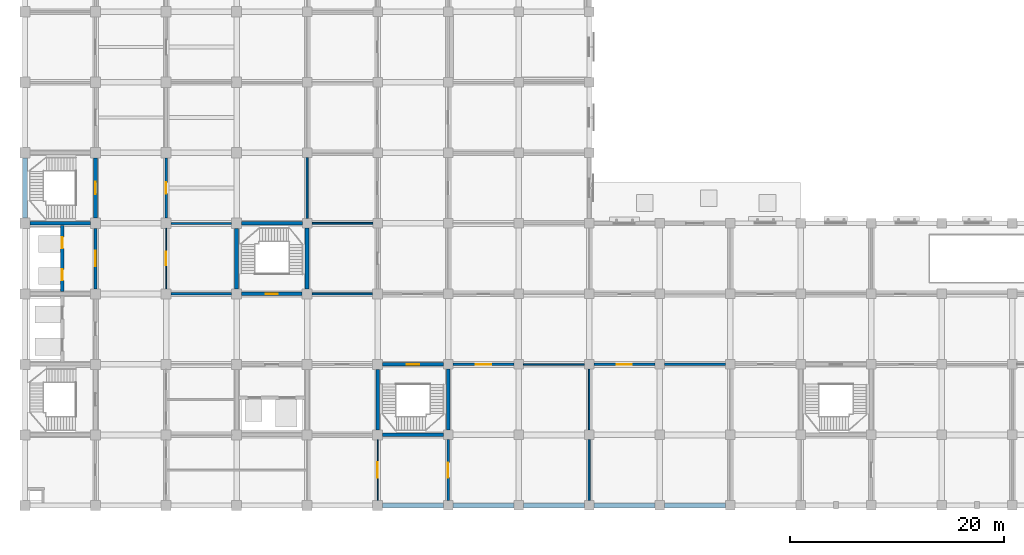
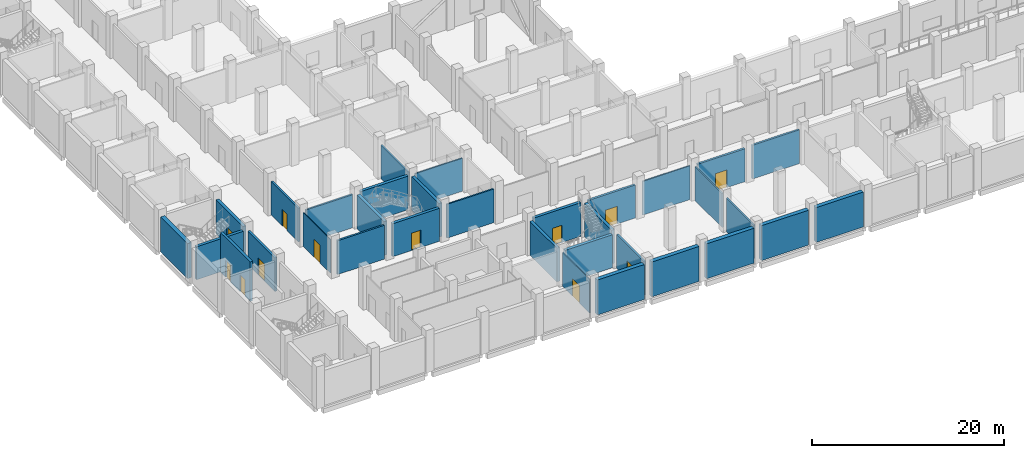
# One storey, part 9 of 28: 33 walls, 12 doors, 12 openings.
"""IFC4 building model written with IfcOpenShell, lengths in metres."""

from ifc_helpers import new_model, si_unit, direction, frame, frame_2d, origin, place, context, subcontext, project, spatial, rectangle, extrude, material, layer, layer_set, type_object, element, fill, save


model = new_model("IFC4")

# Units and contexts
model_context = context("Model", 3, precision=1e-05, world=origin(), true_north=direction((0.0, 1.0)))
body_context = subcontext(model_context, "Body", "Model", "MODEL_VIEW")
ifc_project = project(units=[si_unit("LENGTHUNIT", "METRE"), si_unit("AREAUNIT", "SQUARE_METRE"), si_unit("VOLUMEUNIT", "CUBIC_METRE"), si_unit("PLANEANGLEUNIT", "RADIAN"), si_unit("MASSUNIT", "GRAM", prefix="KILO")], contexts=[model_context])

# Site, building, storey
site_placement = place(None, origin())
site = spatial("IfcSite", under=ifc_project, at=site_placement, CompositionType="ELEMENT")
building_placement = place(site_placement, origin())
building = spatial("IfcBuilding", under=site, at=building_placement, Name="Rusizi Kubbe Research Institute", CompositionType="ELEMENT")
storey_placement = place(building_placement, origin())
storey = spatial("IfcBuildingStorey", under=building, at=storey_placement, Name="L00", CompositionType="ELEMENT", Elevation=0.0)

# Wall
ifc_material_1 = material(Name="Concrete C45/55", Category="concrete")
ifc_layer_1 = layer(ifc_material_1, 0.35009765625)
ifc_layer_set_1 = layer_set([ifc_layer_1], Name="Concrete C45/55")
wall_type_1 = type_object("IfcWallType", Name="CRW-01", PredefinedType="SHEAR", material=ifc_layer_set_1)
wall_1_placement = place(storey_placement, frame((0.47509765625, 26.39990234375, 0.0), z_axis=(0.0, 0.0, 1.0), x_axis=(1.0, 0.0, 0.0)))
element("IfcWall", 1, at=wall_1_placement, inside=storey, type_object=wall_type_1, Name="Stair Core Shear Wall ST2 L00 S", PredefinedType="SHEAR", context=body_context, shape_type="SweptSolid", body=[
    extrude(rectangle(XDim=5.64990234375, YDim=0.35009765625, at=frame_2d((2.824951171875, 0.0))), origin(), (0.0, 0.0, 1.0), 4.199951171875),
])

# Wall, opening, door
wall_2_placement = place(storey_placement, frame((6.60009765625, 26.875, 0.0), z_axis=(0.0, 0.0, 1.0), x_axis=(0.0, 1.0, 0.0)))
wall_2 = element("IfcWall", 2, at=wall_2_placement, inside=storey, type_object=wall_type_1, Name="Stair Core Shear Wall ST2 L00 E", PredefinedType="SHEAR", context=body_context, shape_type="SweptSolid", body=[
    extrude(rectangle(XDim=5.64990234375, YDim=0.35009765625, at=frame_2d((2.824951171875, 0.0))), origin(), (0.0, 0.0, 1.0), 4.300048828125),
])
opening_1_placement = place(wall_2_placement, frame((2.25, 0.0, 0.0)))
opening_1 = element("IfcOpeningElement", 3, at=opening_1_placement, cuts=wall_2, Name="Opening D-02", PredefinedType="OPENING", context=body_context, shape_type="SweptSolid", body=[
    extrude(rectangle(XDim=1.14990234375, YDim=2.199951171875, at=frame_2d((0.574951171875, 1.10009765625))), frame((0.0, 0.18505859375, 0.0), z_axis=(0.0, -1.0, 0.0), x_axis=(1.0, 0.0, 0.0)), (0.0, 0.0, 1.0), 0.3701171875),
])
ifc_material_2 = material(Name="Fire-Rated Steel Frame and Acoustic Timber Leaf", Category="wood")
door_type_1 = type_object("IfcDoorType", Name="ID-STAIR-115", OperationType="NOTDEFINED", PredefinedType="DOOR", material=ifc_material_2)
door_1_placement = place(opening_1_placement, origin())
door_1 = element("IfcDoor", 4, at=door_1_placement, inside=storey, type_object=door_type_1, Name="Exit Stair Door ST2 L00", OperationType="SINGLE_SWING_RIGHT", OverallHeight=2.199951171875, OverallWidth=1.14990234375, PredefinedType="DOOR", context=body_context, shape_type="SweptSolid", body=[
    extrude(rectangle(XDim=1.14990234375, YDim=2.199951171875, at=frame_2d((0.574951171875, 1.10009765625))), frame((0.0, 0.02490234375, 0.0), z_axis=(0.0, -1.0, 0.0), x_axis=(1.0, 0.0, 0.0)), (0.0, 0.0, 1.0), 0.050048828125),
])
fill(opening_1, door_1)

wall_3_placement = place(storey_placement, frame((20.27490234375, 19.800048828125, 0.0), z_axis=(0.0, 0.0, 1.0), x_axis=(1.0, 0.0, 0.0)))
wall_3 = element("IfcWall", 5, at=wall_3_placement, inside=storey, type_object=wall_type_1, Name="Stair Core Shear Wall ST3 L00 S", PredefinedType="SHEAR", context=body_context, shape_type="SweptSolid", body=[
    extrude(rectangle(XDim=5.650146484375, YDim=0.35009765625, at=frame_2d((2.8251953125, 0.0))), origin(), (0.0, 0.0, 1.0), 4.199951171875),
])
opening_2_placement = place(wall_3_placement, frame((2.25, 0.0, 0.0)))
opening_2 = element("IfcOpeningElement", 6, at=opening_2_placement, cuts=wall_3, Name="Opening D-02", PredefinedType="OPENING", context=body_context, shape_type="SweptSolid", body=[
    extrude(rectangle(XDim=1.14990234375, YDim=2.199951171875, at=frame_2d((0.574951171875, 1.10009765625))), frame((0.0, 0.18505859375, 0.0), z_axis=(0.0, -1.0, 0.0), x_axis=(1.0, 0.0, 0.0)), (0.0, 0.0, 1.0), 0.3701171875),
])
door_2_placement = place(opening_2_placement, origin())
door_2 = element("IfcDoor", 7, at=door_2_placement, inside=storey, type_object=door_type_1, Name="Exit Stair Door ST3 L00", OperationType="SINGLE_SWING_RIGHT", OverallHeight=2.199951171875, OverallWidth=1.14990234375, PredefinedType="DOOR", context=body_context, shape_type="SweptSolid", body=[
    extrude(rectangle(XDim=1.14990234375, YDim=2.199951171875, at=frame_2d((0.574951171875, 1.10009765625))), frame((0.0, 0.02490234375, 0.0), z_axis=(0.0, -1.0, 0.0), x_axis=(1.0, 0.0, 0.0)), (0.0, 0.0, 1.0), 0.050048828125),
])
fill(opening_2, door_2)

# Walls
wall_4_placement = place(storey_placement, frame((20.27490234375, 26.39990234375, 0.0), z_axis=(0.0, 0.0, 1.0), x_axis=(1.0, 0.0, 0.0)))
element("IfcWall", 8, at=wall_4_placement, inside=storey, type_object=wall_type_1, Name="Stair Core Shear Wall ST3 L00 N", PredefinedType="SHEAR", context=body_context, shape_type="SweptSolid", body=[
    extrude(rectangle(XDim=5.675048828125, YDim=0.35009765625, at=frame_2d((2.83740234375, 0.0))), origin(), (0.0, 0.0, 1.0), 4.300048828125),
])
wall_5_placement = place(storey_placement, frame((19.800048828125, 20.27490234375, 0.0), z_axis=(0.0, 0.0, 1.0), x_axis=(0.0, 1.0, 0.0)))
element("IfcWall", 9, at=wall_5_placement, inside=storey, type_object=wall_type_1, Name="Stair Core Shear Wall ST3 L00 W", PredefinedType="SHEAR", context=body_context, shape_type="SweptSolid", body=[
    extrude(rectangle(XDim=5.650146484375, YDim=0.35009765625, at=frame_2d((2.8251953125, 0.0))), origin(), (0.0, 0.0, 1.0), 4.300048828125),
])
wall_6_placement = place(storey_placement, frame((26.39990234375, 20.27490234375, 0.0), z_axis=(0.0, 0.0, 1.0), x_axis=(0.0, 1.0, 0.0)))
element("IfcWall", 10, at=wall_6_placement, inside=storey, type_object=wall_type_1, Name="Stair Core Shear Wall ST3 L00 E", PredefinedType="SHEAR", context=body_context, shape_type="SweptSolid", body=[
    extrude(rectangle(XDim=5.675048828125, YDim=0.35009765625, at=frame_2d((2.83740234375, 0.0))), origin(), (0.0, 0.0, 1.0), 4.300048828125),
])
wall_7_placement = place(storey_placement, frame((33.47509765625, 6.60009765625, 0.0), z_axis=(0.0, 0.0, 1.0), x_axis=(1.0, 0.0, 0.0)))
element("IfcWall", 11, at=wall_7_placement, inside=storey, type_object=wall_type_1, Name="Stair Core Shear Wall ST4 L00 S", PredefinedType="SHEAR", context=body_context, shape_type="SweptSolid", body=[
    extrude(rectangle(XDim=5.6748046875, YDim=0.35009765625, at=frame_2d((2.83740234375, 0.0))), origin(), (0.0, 0.0, 1.0), 4.199951171875),
])

# Wall, opening, door
wall_8_placement = place(storey_placement, frame((33.47509765625, 13.199951171875, 0.0), z_axis=(0.0, 0.0, 1.0), x_axis=(1.0, 0.0, 0.0)))
wall_8 = element("IfcWall", 12, at=wall_8_placement, inside=storey, type_object=wall_type_1, Name="Stair Core Shear Wall ST4 L00 N", PredefinedType="SHEAR", context=body_context, shape_type="SweptSolid", body=[
    extrude(rectangle(XDim=5.6748046875, YDim=0.35009765625, at=frame_2d((2.83740234375, 0.0))), origin(), (0.0, 0.0, 1.0), 4.300048828125),
])
opening_3_placement = place(wall_8_placement, frame((2.262451171875, 0.0, 0.0)))
opening_3 = element("IfcOpeningElement", 13, at=opening_3_placement, cuts=wall_8, Name="Opening D-02", PredefinedType="OPENING", context=body_context, shape_type="SweptSolid", body=[
    extrude(rectangle(XDim=1.14990234375, YDim=2.199951171875, at=frame_2d((0.574951171875, 1.10009765625))), frame((0.0, 0.18505859375, 0.0), z_axis=(0.0, -1.0, 0.0), x_axis=(1.0, 0.0, 0.0)), (0.0, 0.0, 1.0), 0.3701171875),
])
door_3_placement = place(opening_3_placement, origin())
door_3 = element("IfcDoor", 14, at=door_3_placement, inside=storey, type_object=door_type_1, Name="Exit Stair Door ST4 L00", OperationType="SINGLE_SWING_RIGHT", OverallHeight=2.199951171875, OverallWidth=1.14990234375, PredefinedType="DOOR", context=body_context, shape_type="SweptSolid", body=[
    extrude(rectangle(XDim=1.14990234375, YDim=2.199951171875, at=frame_2d((0.574951171875, 1.10009765625))), frame((0.0, 0.02490234375, 0.0), z_axis=(0.0, -1.0, 0.0), x_axis=(1.0, 0.0, 0.0)), (0.0, 0.0, 1.0), 0.050048828125),
])
fill(opening_3, door_3)

# Walls
wall_9_placement = place(storey_placement, frame((33.0, 7.074951171875, 0.0), z_axis=(0.0, 0.0, 1.0), x_axis=(0.0, 1.0, 0.0)))
element("IfcWall", 15, at=wall_9_placement, inside=storey, type_object=wall_type_1, Name="Stair Core Shear Wall ST4 L00 W", PredefinedType="SHEAR", context=body_context, shape_type="SweptSolid", body=[
    extrude(rectangle(XDim=5.650146484375, YDim=0.35009765625, at=frame_2d((2.8251953125, 0.0))), origin(), (0.0, 0.0, 1.0), 4.300048828125),
])
wall_10_placement = place(storey_placement, frame((39.60009765625, 7.050048828125, 0.0), z_axis=(0.0, 0.0, 1.0), x_axis=(0.0, 1.0, 0.0)))
element("IfcWall", 16, at=wall_10_placement, inside=storey, type_object=wall_type_1, Name="Stair Core Shear Wall ST4 L00 E", PredefinedType="SHEAR", context=body_context, shape_type="SweptSolid", body=[
    extrude(rectangle(XDim=5.699951171875, YDim=0.35009765625, at=frame_2d((2.85009765625, 0.0))), origin(), (0.0, 0.0, 1.0), 4.300048828125),
])

# Wall, openings, doors
ifc_material_3 = material(Name="Concrete C45/55", Category="concrete")
ifc_layer_2 = layer(ifc_material_3, 0.31494140625)
ifc_layer_set_2 = layer_set([ifc_layer_2], Name="Concrete C45/55")
wall_type_2 = type_object("IfcWallType", Name="CRW-02", PredefinedType="SHEAR", material=ifc_layer_set_2)
wall_11_placement = place(storey_placement, frame((3.47998046875, 20.0, 0.0), z_axis=(0.0, 0.0, 1.0), x_axis=(0.0, 1.0, 0.0)))
wall_11 = element("IfcWall", 17, at=wall_11_placement, inside=storey, type_object=wall_type_2, Name="Passenger Lift Shaft Front Wall L00", PredefinedType="SHEAR", context=body_context, shape_type="SweptSolid", body=[
    extrude(rectangle(XDim=6.199951171875, YDim=0.31494140625, at=frame_2d((3.10009765625, 0.0))), origin(), (0.0, 0.0, 1.0), 5.050048828125),
])
opening_4_placement = place(wall_11_placement, frame((1.050048828125, 0.0, 0.0)))
opening_4 = element("IfcOpeningElement", 18, at=opening_4_placement, cuts=wall_11, Name="Opening LD-03", PredefinedType="OPENING", context=body_context, shape_type="SweptSolid", body=[
    extrude(rectangle(XDim=1.050048828125, YDim=2.14990234375, at=frame_2d((0.52490234375, 1.074951171875))), frame((0.0, 0.16748046875, 0.0), z_axis=(0.0, -1.0, 0.0), x_axis=(1.0, 0.0, 0.0)), (0.0, 0.0, 1.0), 0.3349609375),
])
opening_5_placement = place(wall_11_placement, frame((4.050048828125, 0.0, 0.0)))
opening_5 = element("IfcOpeningElement", 19, at=opening_5_placement, cuts=wall_11, Name="Opening LD-04", PredefinedType="OPENING", context=body_context, shape_type="SweptSolid", body=[
    extrude(rectangle(XDim=1.06005859375, YDim=2.14990234375, at=frame_2d((0.530029296875, 1.074951171875))), frame((0.0, 0.16748046875, 0.0), z_axis=(0.0, -1.0, 0.0), x_axis=(1.0, 0.0, 0.0)), (0.0, 0.0, 1.0), 0.3349609375),
])
ifc_material_4 = material(Name="Brushed Stainless Steel Sliding Door", Category="steel")
door_type_2 = type_object("IfcDoorType", Name="LD-03", OperationType="DOUBLE_DOOR_SLIDING", PredefinedType="USERDEFINED", material=ifc_material_4)
door_4_placement = place(opening_4_placement, origin())
door_4 = element("IfcDoor", 20, at=door_4_placement, inside=storey, type_object=door_type_2, Name="Lift Landing Sliding Door LP1 L00", ObjectType="SLIDING DOOR", OperationType="DOUBLE_DOOR_SLIDING", OverallHeight=2.14990234375, OverallWidth=1.050048828125, PredefinedType="USERDEFINED", context=body_context, shape_type="SweptSolid", body=[
    extrude(rectangle(XDim=1.050048828125, YDim=2.14990234375, at=frame_2d((0.52490234375, 1.074951171875))), frame((0.0, 0.02490234375, 0.0), z_axis=(0.0, -1.0, 0.0), x_axis=(1.0, 0.0, 0.0)), (0.0, 0.0, 1.0), 0.050048828125),
])
fill(opening_4, door_4)
ifc_material_5 = material(Name="Brushed Stainless Steel Sliding Door", Category="steel")
door_type_3 = type_object("IfcDoorType", Name="LD-04", OperationType="DOUBLE_DOOR_SLIDING", PredefinedType="USERDEFINED", material=ifc_material_5)
door_5_placement = place(opening_5_placement, origin())
door_5 = element("IfcDoor", 21, at=door_5_placement, inside=storey, type_object=door_type_3, Name="Lift Landing Sliding Door LP2 L00", ObjectType="SLIDING DOOR", OperationType="DOUBLE_DOOR_SLIDING", OverallHeight=2.14990234375, OverallWidth=1.06005859375, PredefinedType="USERDEFINED", context=body_context, shape_type="SweptSolid", body=[
    extrude(rectangle(XDim=1.06005859375, YDim=2.14990234375, at=frame_2d((0.530029296875, 1.074951171875))), frame((0.0, 0.02490234375, 0.0), z_axis=(0.0, -1.0, 0.0), x_axis=(1.0, 0.0, 0.0)), (0.0, 0.0, 1.0), 0.050048828125),
])
fill(opening_5, door_5)

# Wall, opening, door
ifc_material_6 = material(Name="Concrete Blockwork Fire Partition", Category="masonry")
ifc_layer_3 = layer(ifc_material_6, 0.22509765625)
ifc_layer_set_3 = layer_set([ifc_layer_3], Name="Concrete Blockwork Fire Partition")
wall_type_3 = type_object("IfcWallType", Name="IW-01", PredefinedType="PARTITIONING", material=ifc_layer_set_3)
wall_12_placement = place(storey_placement, frame((13.199951171875, 26.875, 0.0), z_axis=(0.0, 0.0, 1.0), x_axis=(0.0, 1.0, 0.0)))
wall_12 = element("IfcWall", 22, at=wall_12_placement, inside=storey, type_object=wall_type_3, Name="Interior Partition Wall L00 V2-4", PredefinedType="PARTITIONING", context=body_context, shape_type="SweptSolid", body=[
    extrude(rectangle(XDim=5.64990234375, YDim=0.22509765625, at=frame_2d((2.824951171875, 0.0))), origin(), (0.0, 0.0, 1.0), 4.300048828125),
])
opening_6_placement = place(wall_12_placement, frame((2.300048828125, 0.0, 0.0)))
opening_6 = element("IfcOpeningElement", 23, at=opening_6_placement, cuts=wall_12, Name="Opening D-16", PredefinedType="OPENING", context=body_context, shape_type="SweptSolid", body=[
    extrude(rectangle(XDim=1.050048828125, YDim=2.14990234375, at=frame_2d((0.52490234375, 1.074951171875))), frame((0.0, 0.12255859375, 0.0), z_axis=(0.0, -1.0, 0.0), x_axis=(1.0, 0.0, 0.0)), (0.0, 0.0, 1.0), 0.2451171875),
])
ifc_material_7 = material(Name="Fire-Rated Steel Frame and Acoustic Timber Leaf", Category="wood")
door_type_4 = type_object("IfcDoorType", Name="ID-OFF-105", OperationType="NOTDEFINED", PredefinedType="DOOR", material=ifc_material_7)
door_6_placement = place(opening_6_placement, origin())
door_6 = element("IfcDoor", 24, at=door_6_placement, inside=storey, type_object=door_type_4, Name="Door to Write-up Office (L00-NW-02)", OperationType="SINGLE_SWING_LEFT", OverallHeight=2.14990234375, OverallWidth=1.050048828125, PredefinedType="DOOR", context=body_context, shape_type="SweptSolid", body=[
    extrude(rectangle(XDim=1.050048828125, YDim=2.14990234375, at=frame_2d((0.52490234375, 1.074951171875))), frame((0.0, 0.02490234375, 0.0), z_axis=(0.0, -1.0, 0.0), x_axis=(1.0, 0.0, 0.0)), (0.0, 0.0, 1.0), 0.050048828125),
])
fill(opening_6, door_6)

# Wall
wall_13_placement = place(storey_placement, frame((13.675048828125, 19.800048828125, 0.0), z_axis=(0.0, 0.0, 1.0), x_axis=(1.0, 0.0, 0.0)))
element("IfcWall", 25, at=wall_13_placement, inside=storey, type_object=wall_type_3, Name="Interior Partition Wall L00 H2-3", PredefinedType="PARTITIONING", context=body_context, shape_type="SweptSolid", body=[
    extrude(rectangle(XDim=5.64990234375, YDim=0.22509765625, at=frame_2d((2.824951171875, 0.0))), origin(), (0.0, 0.0, 1.0), 4.300048828125),
])

# Wall, opening, door
wall_14_placement = place(storey_placement, frame((39.60009765625, 0.449951171875, 0.0), z_axis=(0.0, 0.0, 1.0), x_axis=(0.0, 1.0, 0.0)))
wall_14 = element("IfcWall", 26, at=wall_14_placement, inside=storey, type_object=wall_type_3, Name="Interior Partition Wall L00 V6-0", PredefinedType="PARTITIONING", context=body_context, shape_type="SweptSolid", body=[
    extrude(rectangle(XDim=5.699951171875, YDim=0.22509765625, at=frame_2d((2.85009765625, 0.0))), origin(), (0.0, 0.0, 1.0), 4.300048828125),
])
opening_7_placement = place(wall_14_placement, frame((2.14990234375, 0.0, 0.0)))
opening_7 = element("IfcOpeningElement", 27, at=opening_7_placement, cuts=wall_14, Name="Opening D-12", PredefinedType="OPENING", context=body_context, shape_type="SweptSolid", body=[
    extrude(rectangle(XDim=1.39990234375, YDim=2.25, at=frame_2d((0.699951171875, 1.125))), frame((0.0, 0.12255859375, 0.0), z_axis=(0.0, -1.0, 0.0), x_axis=(1.0, 0.0, 0.0)), (0.0, 0.0, 1.0), 0.2451171875),
])
ifc_material_8 = material(Name="Fire-Rated Steel Frame and Acoustic Timber Leaf", Category="wood")
door_type_5 = type_object("IfcDoorType", Name="ID-LAB-140", OperationType="NOTDEFINED", PredefinedType="DOOR", material=ifc_material_8)
door_7_placement = place(opening_7_placement, origin())
door_7 = element("IfcDoor", 28, at=door_7_placement, inside=storey, type_object=door_type_5, Name="Door to Laboratory Instrument Support Room (L00-EWU-05)", OperationType="SINGLE_SWING_RIGHT", OverallHeight=2.25, OverallWidth=1.39990234375, PredefinedType="DOOR", context=body_context, shape_type="SweptSolid", body=[
    extrude(rectangle(XDim=1.39990234375, YDim=2.25, at=frame_2d((0.699951171875, 1.125))), frame((0.0, 0.02490234375, 0.0), z_axis=(0.0, -1.0, 0.0), x_axis=(1.0, 0.0, 0.0)), (0.0, 0.0, 1.0), 0.050048828125),
])
fill(opening_7, door_7)

# Walls
wall_15_placement = place(storey_placement, frame((59.85009765625, 13.199951171875, 0.0), z_axis=(0.0, 0.0, 1.0), x_axis=(1.0, 0.0, 0.0)))
element("IfcWall", 29, at=wall_15_placement, inside=storey, type_object=wall_type_3, Name="Interior Partition Wall L00 H9-2", PredefinedType="PARTITIONING", context=body_context, shape_type="SweptSolid", body=[
    extrude(rectangle(XDim=5.699951171875, YDim=0.22509765625, at=frame_2d((2.85009765625, 0.0))), origin(), (0.0, 0.0, 1.0), 4.300048828125),
])
ifc_material_9 = material(Name="Insulated Cleanroom Partition", Category="masonry")
ifc_layer_4 = layer(ifc_material_9, 0.195068359375)
ifc_layer_set_4 = layer_set([ifc_layer_4], Name="Insulated Cleanroom Partition")
wall_type_4 = type_object("IfcWallType", Name="IW-02", PredefinedType="PARTITIONING", material=ifc_layer_set_4)
wall_16_placement = place(storey_placement, frame((13.675048828125, 26.39990234375, 0.0), z_axis=(0.0, 0.0, 1.0), x_axis=(1.0, 0.0, 0.0)))
element("IfcWall", 30, at=wall_16_placement, inside=storey, type_object=wall_type_4, Name="Interior Partition Wall L00 H2-4", PredefinedType="PARTITIONING", context=body_context, shape_type="SweptSolid", body=[
    extrude(rectangle(XDim=5.64990234375, YDim=0.195068359375, at=frame_2d((2.824951171875, 0.0))), origin(), (0.0, 0.0, 1.0), 4.199951171875),
])
ifc_material_10 = material(Name="Acoustic Laboratory Partition", Category="masonry")
ifc_layer_5 = layer(ifc_material_10, 0.175048828125)
ifc_layer_set_5 = layer_set([ifc_layer_5], Name="Acoustic Laboratory Partition")
wall_type_5 = type_object("IfcWallType", Name="IW-03", PredefinedType="PARTITIONING", material=ifc_layer_set_5)
wall_17_placement = place(storey_placement, frame((26.39990234375, 26.85009765625, 0.0), z_axis=(0.0, 0.0, 1.0), x_axis=(0.0, 1.0, 0.0)))
element("IfcWall", 31, at=wall_17_placement, inside=storey, type_object=wall_type_5, Name="Interior Partition Wall L00 V4-4", PredefinedType="PARTITIONING", context=body_context, shape_type="SweptSolid", body=[
    extrude(rectangle(XDim=5.699951171875, YDim=0.175048828125, at=frame_2d((2.85009765625, 0.0))), origin(), (0.0, 0.0, 1.0), 4.300048828125),
])
wall_18_placement = place(storey_placement, frame((26.875, 19.800048828125, 0.0), z_axis=(0.0, 0.0, 1.0), x_axis=(1.0, 0.0, 0.0)))
element("IfcWall", 32, at=wall_18_placement, inside=storey, type_object=wall_type_5, Name="Interior Partition Wall L00 H4-3", PredefinedType="PARTITIONING", context=body_context, shape_type="SweptSolid", body=[
    extrude(rectangle(XDim=5.64990234375, YDim=0.175048828125, at=frame_2d((2.824951171875, 0.0))), origin(), (0.0, 0.0, 1.0), 4.300048828125),
])
wall_19_placement = place(storey_placement, frame((52.800048828125, 0.449951171875, 0.0), z_axis=(0.0, 0.0, 1.0), x_axis=(0.0, 1.0, 0.0)))
element("IfcWall", 33, at=wall_19_placement, inside=storey, type_object=wall_type_5, Name="Interior Partition Wall L00 V8-0", PredefinedType="PARTITIONING", context=body_context, shape_type="SweptSolid", body=[
    extrude(rectangle(XDim=5.699951171875, YDim=0.175048828125, at=frame_2d((2.85009765625, 0.0))), origin(), (0.0, 0.0, 1.0), 4.300048828125),
])
ifc_material_11 = material(Name="Fire-Rated Corridor Partition", Category="masonry")
ifc_layer_6 = layer(ifc_material_11, 0.155029296875)
ifc_layer_set_6 = layer_set([ifc_layer_6], Name="Fire-Rated Corridor Partition")
wall_type_6 = type_object("IfcWallType", Name="IW-04", PredefinedType="PARTITIONING", material=ifc_layer_set_6)
wall_20_placement = place(storey_placement, frame((26.85009765625, 26.39990234375, 0.0), z_axis=(0.0, 0.0, 1.0), x_axis=(1.0, 0.0, 0.0)))
element("IfcWall", 34, at=wall_20_placement, inside=storey, type_object=wall_type_6, Name="Interior Partition Wall L00 H4-4", PredefinedType="PARTITIONING", context=body_context, shape_type="SweptSolid", body=[
    extrude(rectangle(XDim=5.699951171875, YDim=0.155029296875, at=frame_2d((2.85009765625, 0.0))), origin(), (0.0, 0.0, 1.0), 4.199951171875),
])
wall_21_placement = place(storey_placement, frame((52.800048828125, 7.050048828125, 0.0), z_axis=(0.0, 0.0, 1.0), x_axis=(0.0, 1.0, 0.0)))
element("IfcWall", 35, at=wall_21_placement, inside=storey, type_object=wall_type_6, Name="Interior Partition Wall L00 V8-1", PredefinedType="PARTITIONING", context=body_context, shape_type="SweptSolid", body=[
    extrude(rectangle(XDim=5.699951171875, YDim=0.155029296875, at=frame_2d((2.85009765625, 0.0))), origin(), (0.0, 0.0, 1.0), 4.300048828125),
])
ifc_material_12 = material(Name="Write-up Glazed Acoustic Partition", Category="masonry")
ifc_layer_7 = layer(ifc_material_12, 0.139892578125)
ifc_layer_set_7 = layer_set([ifc_layer_7], Name="Write-up Glazed Acoustic Partition")
wall_type_7 = type_object("IfcWallType", Name="IW-05", PredefinedType="PARTITIONING", material=ifc_layer_set_7)
wall_22_placement = place(storey_placement, frame((46.64990234375, 13.199951171875, 0.0), z_axis=(0.0, 0.0, 1.0), x_axis=(1.0, 0.0, 0.0)))
element("IfcWall", 36, at=wall_22_placement, inside=storey, type_object=wall_type_7, Name="Interior Partition Wall L00 H7-2", PredefinedType="PARTITIONING", context=body_context, shape_type="SweptSolid", body=[
    extrude(rectangle(XDim=5.7001953125, YDim=0.139892578125, at=frame_2d((2.85009765625, 0.0))), origin(), (0.0, 0.0, 1.0), 4.300048828125),
])

# Wall, opening, door
ifc_material_13 = material(Name="Sub-Suite Fire Partition", Category="masonry")
ifc_layer_8 = layer(ifc_material_13, 0.110107421875)
ifc_layer_set_8 = layer_set([ifc_layer_8], Name="Sub-Suite Fire Partition")
wall_type_8 = type_object("IfcWallType", Name="IW-07", PredefinedType="PARTITIONING", material=ifc_layer_set_8)
wall_23_placement = place(storey_placement, frame((13.199951171875, 20.27490234375, 0.0), z_axis=(0.0, 0.0, 1.0), x_axis=(0.0, 1.0, 0.0)))
wall_23 = element("IfcWall", 37, at=wall_23_placement, inside=storey, type_object=wall_type_8, Name="Interior Partition Wall L00 V2-3", PredefinedType="PARTITIONING", context=body_context, shape_type="SweptSolid", body=[
    extrude(rectangle(XDim=5.650146484375, YDim=0.110107421875, at=frame_2d((2.8251953125, 0.0))), origin(), (0.0, 0.0, 1.0), 4.300048828125),
])
opening_8_placement = place(wall_23_placement, frame((2.199951171875, 0.0, 0.0)))
opening_8 = element("IfcOpeningElement", 38, at=opening_8_placement, cuts=wall_23, Name="Opening D-15", PredefinedType="OPENING", context=body_context, shape_type="SweptSolid", body=[
    extrude(rectangle(XDim=1.25, YDim=2.25, at=frame_2d((0.625, 1.125))), frame((0.0, 0.06494140625, 0.0), z_axis=(0.0, -1.0, 0.0), x_axis=(1.0, 0.0, 0.0)), (0.0, 0.0, 1.0), 0.130126953125),
])
ifc_material_14 = material(Name="Fire-Rated Steel Frame and Acoustic Timber Leaf", Category="wood")
door_type_6 = type_object("IfcDoorType", Name="ID-LAB-125", OperationType="NOTDEFINED", PredefinedType="DOOR", material=ifc_material_14)
door_8_placement = place(opening_8_placement, origin())
door_8 = element("IfcDoor", 39, at=door_8_placement, inside=storey, type_object=door_type_6, Name="Door to Computational Dry Laboratory (L00-NW-01)", OperationType="SINGLE_SWING_LEFT", OverallHeight=2.25, OverallWidth=1.25, PredefinedType="DOOR", context=body_context, shape_type="SweptSolid", body=[
    extrude(rectangle(XDim=1.25, YDim=2.25, at=frame_2d((0.625, 1.125))), frame((0.0, 0.02490234375, 0.0), z_axis=(0.0, -1.0, 0.0), x_axis=(1.0, 0.0, 0.0)), (0.0, 0.0, 1.0), 0.050048828125),
])
fill(opening_8, door_8)

wall_24_placement = place(storey_placement, frame((33.0, 0.47509765625, 0.0), z_axis=(0.0, 0.0, 1.0), x_axis=(0.0, 1.0, 0.0)))
wall_24 = element("IfcWall", 40, at=wall_24_placement, inside=storey, type_object=wall_type_8, Name="Interior Partition Wall L00 V5-0", PredefinedType="PARTITIONING", context=body_context, shape_type="SweptSolid", body=[
    extrude(rectangle(XDim=5.64990234375, YDim=0.110107421875, at=frame_2d((2.824951171875, 0.0))), origin(), (0.0, 0.0, 1.0), 4.300048828125),
])
opening_9_placement = place(wall_24_placement, frame((2.10009765625, 0.0, 0.0)))
opening_9 = element("IfcOpeningElement", 41, at=opening_9_placement, cuts=wall_24, Name="Opening D-11", PredefinedType="OPENING", context=body_context, shape_type="SweptSolid", body=[
    extrude(rectangle(XDim=1.449951171875, YDim=2.25, at=frame_2d((0.72509765625, 1.125))), frame((0.0, 0.06494140625, 0.0), z_axis=(0.0, -1.0, 0.0), x_axis=(1.0, 0.0, 0.0)), (0.0, 0.0, 1.0), 0.130126953125),
])
ifc_material_15 = material(Name="Fire-Rated Steel Frame and Acoustic Timber Leaf", Category="wood")
door_type_7 = type_object("IfcDoorType", Name="ID-LAB-145", OperationType="NOTDEFINED", PredefinedType="DOOR", material=ifc_material_15)
door_9_placement = place(opening_9_placement, origin())
door_9 = element("IfcDoor", 42, at=door_9_placement, inside=storey, type_object=door_type_7, Name="Door to Laboratory Instrument Support Room (L00-EWU-04)", OperationType="SINGLE_SWING_LEFT", OverallHeight=2.25, OverallWidth=1.449951171875, PredefinedType="DOOR", context=body_context, shape_type="SweptSolid", body=[
    extrude(rectangle(XDim=1.449951171875, YDim=2.25, at=frame_2d((0.72509765625, 1.125))), frame((0.0, 0.02490234375, 0.0), z_axis=(0.0, -1.0, 0.0), x_axis=(1.0, 0.0, 0.0)), (0.0, 0.0, 1.0), 0.050048828125),
])
fill(opening_9, door_9)

# Walls
ifc_material_16 = material(Name="Concrete C40/50", Category="concrete")
ifc_layer_9 = layer(ifc_material_16, 0.47998046875)
ifc_layer_set_9 = layer_set([ifc_layer_9], Name="Concrete C40/50")
wall_type_9 = type_object("IfcWallType", Name="PW-01", PredefinedType="SOLIDWALL", material=ifc_layer_set_9)
wall_25_placement = place(storey_placement, frame((0.0, 26.875, 0.0), z_axis=(0.0, 0.0, 1.0), x_axis=(0.0, 1.0, 0.0)))
element("IfcWall", 43, at=wall_25_placement, inside=storey, type_object=wall_type_9, Name="Blind Party Wall L00 V0-4", PredefinedType="SOLIDWALL", context=body_context, shape_type="SweptSolid", body=[
    extrude(rectangle(XDim=5.64990234375, YDim=0.47998046875, at=frame_2d((2.824951171875, 0.0))), origin(), (0.0, 0.0, 1.0), 4.449951171875),
])
wall_26_placement = place(storey_placement, frame((33.47509765625, 0.0, 0.0), z_axis=(0.0, 0.0, 1.0), x_axis=(1.0, 0.0, 0.0)))
element("IfcWall", 44, at=wall_26_placement, inside=storey, type_object=wall_type_9, Name="Blind Party Wall L00 H5-0", PredefinedType="SOLIDWALL", context=body_context, shape_type="SweptSolid", body=[
    extrude(rectangle(XDim=5.6748046875, YDim=0.47998046875, at=frame_2d((2.83740234375, 0.0))), origin(), (0.0, 0.0, 1.0), 4.449951171875),
])
wall_27_placement = place(storey_placement, frame((40.050048828125, 0.0, 0.0), z_axis=(0.0, 0.0, 1.0), x_axis=(1.0, 0.0, 0.0)))
element("IfcWall", 45, at=wall_27_placement, inside=storey, type_object=wall_type_9, Name="Blind Party Wall L00 H6-0", PredefinedType="SOLIDWALL", context=body_context, shape_type="SweptSolid", body=[
    extrude(rectangle(XDim=5.699951171875, YDim=0.47998046875, at=frame_2d((2.85009765625, 0.0))), origin(), (0.0, 0.0, 1.0), 4.449951171875),
])
wall_28_placement = place(storey_placement, frame((46.64990234375, 0.0, 0.0), z_axis=(0.0, 0.0, 1.0), x_axis=(1.0, 0.0, 0.0)))
element("IfcWall", 46, at=wall_28_placement, inside=storey, type_object=wall_type_9, Name="Blind Party Wall L00 H7-0", PredefinedType="SOLIDWALL", context=body_context, shape_type="SweptSolid", body=[
    extrude(rectangle(XDim=5.7001953125, YDim=0.47998046875, at=frame_2d((2.85009765625, 0.0))), origin(), (0.0, 0.0, 1.0), 4.449951171875),
])
for number, where, z_axis, x_axis, name in (
    (47, (53.25, 0.0, 0.0), (0.0, 0.0, 1.0), (1.0, 0.0, 0.0), "Blind Party Wall L00 H8-0"),
    (48, (59.85009765625, 0.0, 0.0), (0.0, 0.0, 1.0), (1.0, 0.0, 0.0), "Blind Party Wall L00 H9-0"),
):
    element("IfcWall", number, at=place(storey_placement, frame(where, z_axis=z_axis, x_axis=x_axis)), inside=storey, type_object=wall_type_9, Name=name, PredefinedType="SOLIDWALL", context=body_context, shape_type="SweptSolid", body=[
        extrude(rectangle(XDim=5.699951171875, YDim=0.47998046875, at=frame_2d((2.85009765625, 0.0))), origin(), (0.0, 0.0, 1.0), 4.449951171875),
    ])

# Wall, opening, door
ifc_material_17 = material(Name="Concrete C40/50", Category="concrete")
ifc_layer_10 = layer(ifc_material_17, 0.27490234375)
ifc_layer_set_10 = layer_set([ifc_layer_10], Name="Concrete C40/50")
wall_type_10 = type_object("IfcWallType", Name="SHW-01", PredefinedType="SHEAR", material=ifc_layer_set_10)
wall_29_placement = place(storey_placement, frame((6.60009765625, 20.27490234375, 0.0), z_axis=(0.0, 0.0, 1.0), x_axis=(0.0, 1.0, 0.0)))
wall_29 = element("IfcWall", 49, at=wall_29_placement, inside=storey, type_object=wall_type_10, Name="Passenger Lift Lobby Wall L00", PredefinedType="SHEAR", context=body_context, shape_type="SweptSolid", body=[
    extrude(rectangle(XDim=5.650146484375, YDim=0.27490234375, at=frame_2d((2.8251953125, 0.0))), origin(), (0.0, 0.0, 1.0), 4.300048828125),
])
opening_10_placement = place(wall_29_placement, frame((2.114990234375, 0.0, 0.0)))
opening_10 = element("IfcOpeningElement", 50, at=opening_10_placement, cuts=wall_29, Name="Opening D-22", PredefinedType="OPENING", context=body_context, shape_type="SweptSolid", body=[
    extrude(rectangle(XDim=1.419921875, YDim=2.199951171875, at=frame_2d((0.7099609375, 1.10009765625))), frame((0.0, 0.1474609375, 0.0), z_axis=(0.0, -1.0, 0.0), x_axis=(1.0, 0.0, 0.0)), (0.0, 0.0, 1.0), 0.294921875),
])
ifc_material_18 = material(Name="Fire-Rated Steel Frame and Acoustic Timber Leaf", Category="wood")
door_type_8 = type_object("IfcDoorType", Name="ID-STR-142", OperationType="DOUBLE_DOOR_SINGLE_SWING", PredefinedType="DOOR", material=ifc_material_18)
door_10_placement = place(opening_10_placement, origin())
door_10 = element("IfcDoor", 51, at=door_10_placement, inside=storey, type_object=door_type_8, Name="Door to Passenger Lift Lobby (L00-LBY-01)", OperationType="DOUBLE_DOOR_SINGLE_SWING", OverallHeight=2.199951171875, OverallWidth=1.419921875, PredefinedType="DOOR", context=body_context, shape_type="SweptSolid", body=[
    extrude(rectangle(XDim=1.419921875, YDim=2.199951171875, at=frame_2d((0.7099609375, 1.10009765625))), frame((0.0, 0.02490234375, 0.0), z_axis=(0.0, -1.0, 0.0), x_axis=(1.0, 0.0, 0.0)), (0.0, 0.0, 1.0), 0.050048828125),
])
fill(opening_10, door_10)

ifc_material_19 = material(Name="Concrete C40/50", Category="concrete")
ifc_layer_11 = layer(ifc_material_19, 0.2548828125)
ifc_layer_set_11 = layer_set([ifc_layer_11], Name="Concrete C40/50")
wall_type_11 = type_object("IfcWallType", Name="SHW-02", PredefinedType="SHEAR", material=ifc_layer_set_11)
wall_30_placement = place(storey_placement, frame((40.050048828125, 13.199951171875, 0.0), z_axis=(0.0, 0.0, 1.0), x_axis=(1.0, 0.0, 0.0)))
wall_30 = element("IfcWall", 52, at=wall_30_placement, inside=storey, type_object=wall_type_11, Name="Interior Partition Wall L00 H6-2", PredefinedType="SHEAR", context=body_context, shape_type="SweptSolid", body=[
    extrude(rectangle(XDim=5.699951171875, YDim=0.2548828125, at=frame_2d((2.85009765625, 0.0))), origin(), (0.0, 0.0, 1.0), 4.199951171875),
])
opening_11_placement = place(wall_30_placement, frame((2.125, 0.0, 0.0)))
opening_11 = element("IfcOpeningElement", 53, at=opening_11_placement, cuts=wall_30, Name="Opening D-11", PredefinedType="OPENING", context=body_context, shape_type="SweptSolid", body=[
    extrude(rectangle(XDim=1.449951171875, YDim=2.25, at=frame_2d((0.72509765625, 1.125))), frame((0.0, 0.137451171875, 0.0), z_axis=(0.0, -1.0, 0.0), x_axis=(1.0, 0.0, 0.0)), (0.0, 0.0, 1.0), 0.27490234375),
])
door_11_placement = place(opening_11_placement, origin())
door_11 = element("IfcDoor", 54, at=door_11_placement, inside=storey, type_object=door_type_7, Name="Door to Catalysis Wet Laboratory (L00-EWS-01)", OperationType="SINGLE_SWING_LEFT", OverallHeight=2.25, OverallWidth=1.449951171875, PredefinedType="DOOR", context=body_context, shape_type="SweptSolid", body=[
    extrude(rectangle(XDim=1.449951171875, YDim=2.25, at=frame_2d((0.72509765625, 1.125))), frame((0.0, 0.02490234375, 0.0), z_axis=(0.0, -1.0, 0.0), x_axis=(1.0, 0.0, 0.0)), (0.0, 0.0, 1.0), 0.050048828125),
])
fill(opening_11, door_11)

wall_31_placement = place(storey_placement, frame((53.25, 13.199951171875, 0.0), z_axis=(0.0, 0.0, 1.0), x_axis=(1.0, 0.0, 0.0)))
wall_31 = element("IfcWall", 55, at=wall_31_placement, inside=storey, type_object=wall_type_11, Name="Interior Partition Wall L00 H8-2", PredefinedType="SHEAR", context=body_context, shape_type="SweptSolid", body=[
    extrude(rectangle(XDim=5.699951171875, YDim=0.2548828125, at=frame_2d((2.85009765625, 0.0))), origin(), (0.0, 0.0, 1.0), 4.199951171875),
])
opening_12_placement = place(wall_31_placement, frame((2.14990234375, 0.0, 0.0)))
opening_12 = element("IfcOpeningElement", 56, at=opening_12_placement, cuts=wall_31, Name="Opening D-12", PredefinedType="OPENING", context=body_context, shape_type="SweptSolid", body=[
    extrude(rectangle(XDim=1.39990234375, YDim=2.25, at=frame_2d((0.699951171875, 1.125))), frame((0.0, 0.137451171875, 0.0), z_axis=(0.0, -1.0, 0.0), x_axis=(1.0, 0.0, 0.0)), (0.0, 0.0, 1.0), 0.27490234375),
])
door_12_placement = place(opening_12_placement, origin())
door_12 = element("IfcDoor", 57, at=door_12_placement, inside=storey, type_object=door_type_5, Name="Door to Clean Room Process Suite (L00-EWS-02)", OperationType="SINGLE_SWING_RIGHT", OverallHeight=2.25, OverallWidth=1.39990234375, PredefinedType="DOOR", context=body_context, shape_type="SweptSolid", body=[
    extrude(rectangle(XDim=1.39990234375, YDim=2.25, at=frame_2d((0.699951171875, 1.125))), frame((0.0, 0.02490234375, 0.0), z_axis=(0.0, -1.0, 0.0), x_axis=(1.0, 0.0, 0.0)), (0.0, 0.0, 1.0), 0.050048828125),
])
fill(opening_12, door_12)

save(model, "model.ifc")
